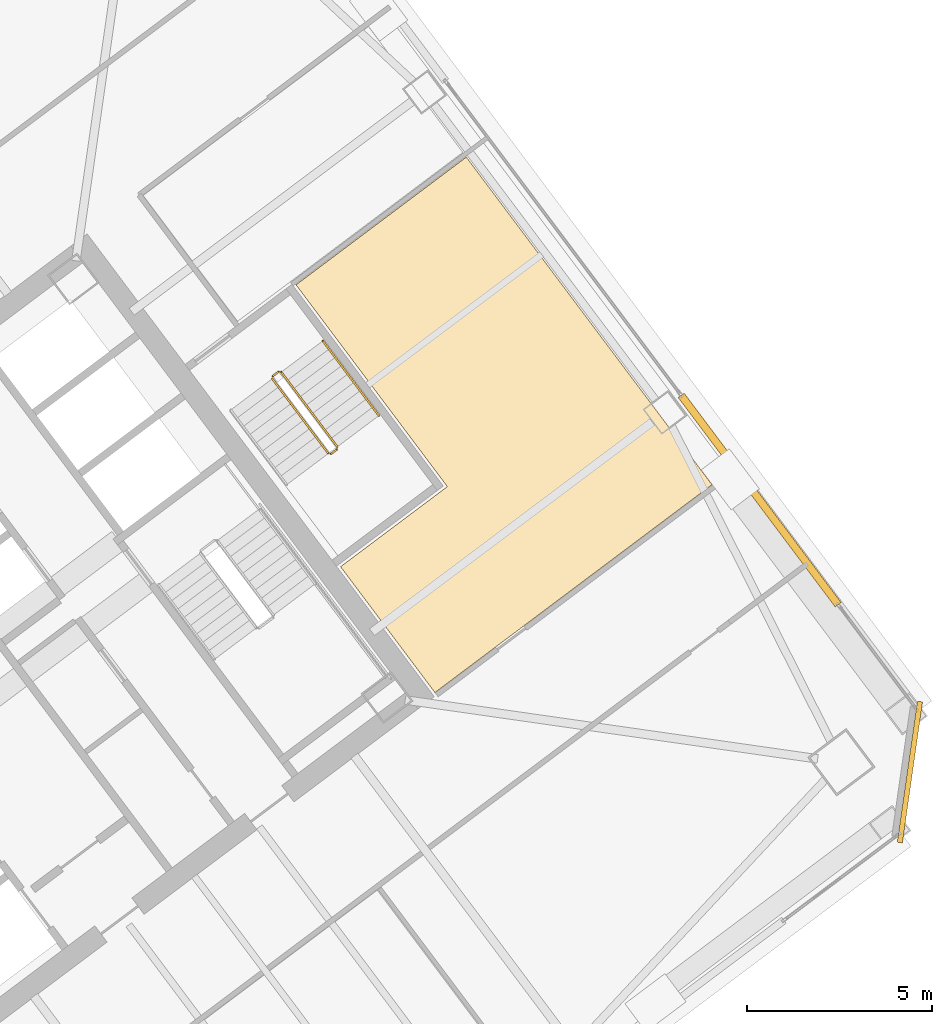
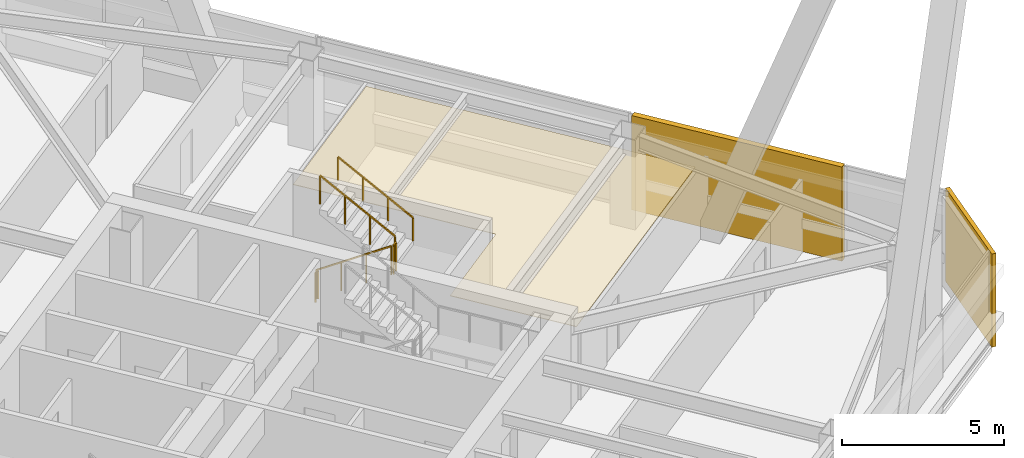
# One storey, part 53 of 54: 5 railings, 3 coverings.
"""IFC4 building model written with IfcOpenShell, lengths in metres."""

from ifc_helpers import new_model, si_unit, direction, frame, origin, origin_2d, place, context, subcontext, project, spatial, polyline, rectangle, outline, extrude, material, layer, layer_set, type_object, element, save


model = new_model("IFC4")

# Units and contexts
model_context = context("Model", 3, precision=1e-05, world=origin(), true_north=direction((0.0, 1.0)))
body_context = subcontext(model_context, "Body", "Model", "MODEL_VIEW")
ifc_project = project(units=[si_unit("LENGTHUNIT", "METRE"), si_unit("AREAUNIT", "SQUARE_METRE"), si_unit("VOLUMEUNIT", "CUBIC_METRE"), si_unit("PLANEANGLEUNIT", "RADIAN"), si_unit("MASSUNIT", "GRAM", prefix="KILO")], contexts=[model_context])

# Site, building, storey
site_placement = place(None, origin())
site = spatial("IfcSite", under=ifc_project, at=site_placement, CompositionType="ELEMENT")
building_placement = place(site_placement, origin())
building = spatial("IfcBuilding", under=site, at=building_placement, Name="Tashvorn Skyway Center", CompositionType="ELEMENT")
storey_placement = place(building_placement, frame((0.0, 0.0, 135.699951171875)))
storey = spatial("IfcBuildingStorey", under=building, at=storey_placement, Name="L36", CompositionType="ELEMENT", Elevation=135.699951171875)

# Coverings
ifc_material_1 = material(Name="Precast concrete C40/50", Category="concrete")
ifc_layer_1 = layer(ifc_material_1, 0.199951171875)
ifc_layer_set_1 = layer_set([ifc_layer_1], Name="Precast concrete C40/50")
covering_type_1 = type_object("IfcCoveringType", Name="COV-BRACE-CLAD", PredefinedType="CLADDING", material=ifc_layer_set_1)
covering_1_placement = place(storey_placement, frame((133.917236328125, 35.91015625, 0.0), z_axis=(0.0, 0.0, 1.0), x_axis=(0.600000004945, -0.799999996291, 0.0)))
element("IfcCovering", 1, at=covering_1_placement, inside=storey, type_object=covering_type_1, Name="Tower 2 L36 East Unitised Curtain Wall Mega-Brace Cladding Band 2", PredefinedType="CLADDING", context=body_context, shape_type="SweptSolid", body=[
    extrude(rectangle(XDim=7.057861328125, YDim=0.199951171875, at=origin_2d()), origin(), (0.0, 0.0, 1.0), 3.550048828125),
])
ifc_material_2 = material(Name="Mineral-fibre acoustic ceiling tile on suspended grid")
ifc_layer_2 = layer(ifc_material_2, 0.02001953125)
ifc_layer_set_2 = layer_set([ifc_layer_2], Name="Mineral-fibre acoustic ceiling tile on suspended grid")
covering_type_2 = type_object("IfcCoveringType", Name="COV-CEIL-20", PredefinedType="CEILING", material=ifc_layer_set_2)
covering_2_placement = place(storey_placement, frame((0.0, 0.0, 2.703125)))
element("IfcCovering", 2, at=covering_2_placement, inside=storey, type_object=covering_type_2, Name="Tower 2 L36 Public Restroom Acoustic Ceiling", PredefinedType="CEILING", context=body_context, shape_type="SweptSolid", body=[
    extrude(outline(polyline([(125.159912109375, 30.719970703125), (122.615966796875, 34.112060546875), (125.49609375, 36.27197265625), (121.416015625, 41.7119140625), (126.008056640625, 45.156005859375), (130.087890625, 39.716064453125), (132.632080078125, 36.323974609375), (125.159912109375, 30.719970703125)])), origin(), (0.0, 0.0, 1.0), 0.02001953125),
])
ifc_layer_3 = layer(ifc_material_1, 0.35009765625)
ifc_layer_set_3 = layer_set([ifc_layer_3], Name="Precast concrete C40/50")
covering_type_3 = type_object("IfcCoveringType", Name="COV-STONE-TRIM", PredefinedType="CLADDING", material=ifc_layer_set_3)
covering_3_placement = place(storey_placement, frame((137.968017578125, 28.575927734375, 0.02001953125), z_axis=(0.0, 0.0, 1.0), x_axis=(0.141421350118, 0.989949494535, 0.0)))
element("IfcCovering", 3, at=covering_3_placement, inside=storey, type_object=covering_type_3, Name="Tower 2 L36 SE Mojave Limestone Corner Quoin", PredefinedType="CLADDING", context=body_context, shape_type="SweptSolid", body=[
    extrude(rectangle(XDim=3.8369140625, YDim=0.139892578125, at=origin_2d()), origin(), (0.0, 0.0, 1.0), 3.510009765625),
])

# Railings
ifc_material_3 = material(Name="Brushed stainless steel 316", Category="steel")
railing_type_1 = type_object("IfcRailingType", Name="RAIL-HAND-920", PredefinedType="HANDRAIL", material=ifc_material_3)
railing_1_placement = place(storey_placement, frame((123.64794921875, 38.18603515625, 1.95263671875)))
element("IfcRailing", 4, at=railing_1_placement, inside=storey, type_object=railing_type_1, Name="L36 ST-T2-3 stair handrail 2", PredefinedType="HANDRAIL", context=body_context, shape_type="SweptSolid", body=[
    extrude(rectangle(XDim=0.048095703125, YDim=0.048095703125, at=origin_2d()), frame((0.0, 0.0, 0.8759765625), z_axis=(-0.506768818287, 0.675664481285, 0.535409071218), x_axis=(-0.79998837352, -0.60001550166, 0.0)), (0.0, 0.0, 1.0), 2.983642578125),
    extrude(rectangle(XDim=0.0419921875, YDim=0.0419921875, at=origin_2d()), origin(), (0.0, 0.0, 1.0), 0.851806640625),
    extrude(rectangle(XDim=0.0419921875, YDim=0.0419921875, at=origin_2d()), frame((-0.50390625, 0.671875, 0.532470703125)), (0.0, 0.0, 1.0), 0.851806640625),
    extrude(rectangle(XDim=0.0419921875, YDim=0.0419921875, at=origin_2d()), frame((-1.008056640625, 1.343994140625, 1.06494140625)), (0.0, 0.0, 1.0), 0.851806640625),
    extrude(rectangle(XDim=0.0419921875, YDim=0.0419921875, at=origin_2d()), frame((-1.511962890625, 2.015869140625, 1.597412109375)), (0.0, 0.0, 1.0), 0.851806640625),
])
ifc_material_4 = material(Name="Painted galvanized steel S355", Category="steel")
railing_type_2 = type_object("IfcRailingType", Name="RAIL-STGUARD-1100", PredefinedType="GUARDRAIL", material=ifc_material_4)
railing_2_placement = place(storey_placement, frame((120.77587890625, 39.181884765625, 0.177490234375)))
element("IfcRailing", 5, at=railing_2_placement, inside=storey, type_object=railing_type_2, Name="L36 ST-T2-3 stair guard 1", PredefinedType="GUARDRAIL", context=body_context, shape_type="SweptSolid", body=[
    extrude(rectangle(XDim=0.048095703125, YDim=0.048095703125, at=origin_2d()), frame((0.0, 0.0, 1.076171875), z_axis=(0.506807425148, -0.675606863004, 0.535445235739), x_axis=(0.799941867976, 0.600077501544, 0.0)), (0.0, 0.0, 1.0), 2.98388671875),
    extrude(rectangle(XDim=0.0419921875, YDim=0.0419921875, at=origin_2d()), origin(), (0.0, 0.0, 1.0), 1.052001953125),
    extrude(rectangle(XDim=0.0419921875, YDim=0.0419921875, at=origin_2d()), frame((0.504150390625, -0.671875, 0.532470703125)), (0.0, 0.0, 1.0), 1.052001953125),
    extrude(rectangle(XDim=0.0419921875, YDim=0.0419921875, at=origin_2d()), frame((1.008056640625, -1.343994140625, 1.065185546875)), (0.0, 0.0, 1.0), 1.052001953125),
    extrude(rectangle(XDim=0.0419921875, YDim=0.0419921875, at=origin_2d()), frame((1.51220703125, -2.015869140625, 1.59765625)), (0.0, 0.0, 1.0), 1.052001953125),
])
railing_3_placement = place(storey_placement, frame((122.35791015625, 37.156005859375, 1.775146484375)))
element("IfcRailing", 6, at=railing_3_placement, inside=storey, type_object=railing_type_2, Name="L36 ST-T2-3 stair guard 2", PredefinedType="GUARDRAIL", context=body_context, shape_type="SweptSolid", body=[
    extrude(rectangle(XDim=0.048095703125, YDim=0.048095703125, at=origin_2d()), frame((0.0, 0.0, 1.076171875), z_axis=(0.800585412921, 0.599218655098, 0.0), x_axis=(-0.599218655098, 0.800585412921, 0.0)), (0.0, 0.0, 1.0), 0.199951171875),
    extrude(rectangle(XDim=0.0419921875, YDim=0.0419921875, at=origin_2d()), origin(), (0.0, 0.0, 1.0), 1.052001953125),
    extrude(rectangle(XDim=0.0419921875, YDim=0.0419921875, at=origin_2d()), frame((0.16015625, 0.119873046875, 0.0)), (0.0, 0.0, 1.0), 1.052001953125),
])
railing_4_placement = place(storey_placement, frame((122.528076171875, 37.345947265625, 1.95263671875)))
element("IfcRailing", 7, at=railing_4_placement, inside=storey, type_object=railing_type_2, Name="L36 ST-T2-3 stair guard 3", PredefinedType="GUARDRAIL", context=body_context, shape_type="SweptSolid", body=[
    extrude(rectangle(XDim=0.048095703125, YDim=0.048095703125, at=origin_2d()), frame((0.0, 0.0, 1.076171875), z_axis=(-0.506740800098, 0.675708949977, 0.535379469569), x_axis=(-0.800023250257, -0.599968998406, 0.0)), (0.0, 0.0, 1.0), 2.983642578125),
    extrude(rectangle(XDim=0.0419921875, YDim=0.0419921875, at=origin_2d()), origin(), (0.0, 0.0, 1.0), 1.052001953125),
    extrude(rectangle(XDim=0.0419921875, YDim=0.0419921875, at=origin_2d()), frame((-0.50390625, 0.672119140625, 0.532470703125)), (0.0, 0.0, 1.0), 1.052001953125),
    extrude(rectangle(XDim=0.0419921875, YDim=0.0419921875, at=origin_2d()), frame((-1.008056640625, 1.343994140625, 1.06494140625)), (0.0, 0.0, 1.0), 1.052001953125),
    extrude(rectangle(XDim=0.0419921875, YDim=0.0419921875, at=origin_2d()), frame((-1.511962890625, 2.01611328125, 1.597412109375)), (0.0, 0.0, 1.0), 1.052001953125),
])
railing_5_placement = place(storey_placement, frame((120.785888671875, 39.251953125, 0.0)))
element("IfcRailing", 8, at=railing_5_placement, inside=storey, type_object=railing_type_2, Name="L36 ST-T2-3 stair guard 4", PredefinedType="GUARDRAIL", context=body_context, shape_type="SweptSolid", body=[
    extrude(rectangle(XDim=0.048095703125, YDim=0.048095703125, at=origin_2d()), frame((0.0, 0.0, 1.076171875), z_axis=(0.8, 0.6, 0.0), x_axis=(-0.6, 0.8, 0.0)), (0.0, 0.0, 1.0), 0.2001953125),
    extrude(rectangle(XDim=0.0419921875, YDim=0.0419921875, at=origin_2d()), origin(), (0.0, 0.0, 1.0), 1.052001953125),
    extrude(rectangle(XDim=0.0419921875, YDim=0.0419921875, at=origin_2d()), frame((0.16015625, 0.1201171875, 0.0)), (0.0, 0.0, 1.0), 1.052001953125),
])

save(model, "model.ifc")
